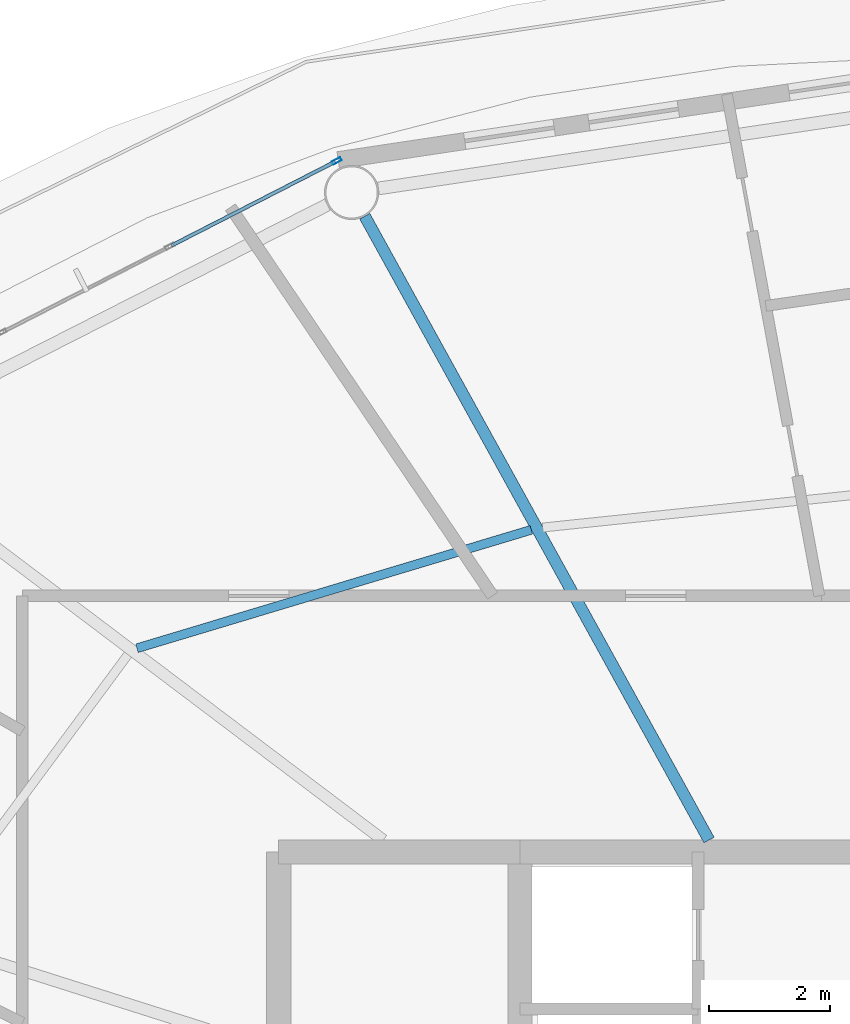
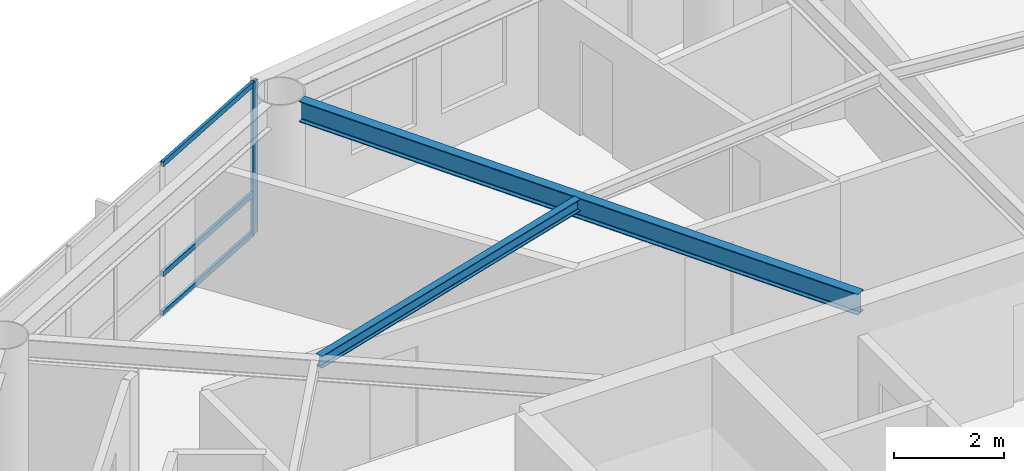
# One storey, part 9 of 22: 4 members, 2 beams, 1 element without a shape of its own.
"""IFC4 building model written with IfcOpenShell, lengths in metres."""

from ifc_helpers import new_model, si_unit, direction, frame, origin, origin_2d, place, context, subcontext, project, spatial, hollow_rectangle, i_section, extrude, material, layer, layer_set, material_profile, profile_set, type_object, element, aggregate, save


model = new_model("IFC4")

# Units and contexts
model_context = context("Model", 3, precision=1e-05, world=origin(), true_north=direction((0.0, 1.0)))
body_context = subcontext(model_context, "Body", "Model", "MODEL_VIEW")
ifc_project = project(units=[si_unit("LENGTHUNIT", "METRE"), si_unit("AREAUNIT", "SQUARE_METRE"), si_unit("VOLUMEUNIT", "CUBIC_METRE"), si_unit("PLANEANGLEUNIT", "RADIAN"), si_unit("MASSUNIT", "GRAM", prefix="KILO")], contexts=[model_context])

# Site, building, storey
site_placement = place(None, origin())
site = spatial("IfcSite", under=ifc_project, at=site_placement, CompositionType="ELEMENT")
building_placement = place(site_placement, origin())
building = spatial("IfcBuilding", under=site, at=building_placement, Name="Sarneth Arch Tower", CompositionType="ELEMENT")
storey_placement = place(building_placement, frame((0.0, 0.0, 213.60009765625)))
storey = spatial("IfcBuildingStorey", under=building, at=storey_placement, Name="L54", CompositionType="ELEMENT", Elevation=213.60009765625)

# Beams
ifc_material_1 = material(Name="Steel S355", Category="steel")
ifc_material_profile_1 = material_profile(ifc_material_1, i_section(OverallWidth=0.14794921875, OverallDepth=0.26611328125, WebThickness=0.007568359375, FlangeThickness=0.012939453125, FilletRadius=0.012939453125, at=origin_2d()), Name="W250x44.8")
ifc_profile_set_1 = profile_set([ifc_material_profile_1], Name="Steel S355")
beam_type_1 = type_object("IfcBeamType", Name="BM-JOIST-250", PredefinedType="JOIST", material=ifc_profile_set_1)
beam_1_placement = place(storey_placement, frame((41.189453125, 54.14453125, 3.226806640625), z_axis=(-0.957725851155, -0.287682453461, 0.0), x_axis=(0.287682453461, -0.957725851155, 0.0)))
element("IfcBeam", 1, at=beam_1_placement, inside=storey, type_object=beam_type_1, Name="L54 Secondary floor joist 06", PredefinedType="JOIST", context=body_context, shape_type="SweptSolid", body=[
    extrude(i_section(OverallWidth=0.14794921875, OverallDepth=0.26611328125, WebThickness=0.007568359375, FlangeThickness=0.012939453125, FilletRadius=0.012939453125, at=origin_2d()), origin(), (0.0, 0.0, 1.0), 6.828125),
])
ifc_material_2 = material(Name="Steel S355", Category="steel")
ifc_material_profile_2 = material_profile(ifc_material_2, i_section(OverallWidth=0.19189453125, OverallDepth=0.462890625, WebThickness=0.010498046875, FlangeThickness=0.017578125, FilletRadius=0.01806640625, at=origin_2d()), Name="W460x89")
ifc_profile_set_2 = profile_set([ifc_material_profile_2], Name="Steel S355")
beam_type_2 = type_object("IfcBeamType", Name="BM-RAD-460B", PredefinedType="BEAM", material=ifc_profile_set_2)
beam_2_placement = place(storey_placement, frame((44.13623046875, 49.0, 3.12841796875), z_axis=(-0.483218265038, 0.875499919094, 0.0), x_axis=(-0.875499919094, -0.483218265038, 0.0)))
element("IfcBeam", 2, at=beam_2_placement, inside=storey, type_object=beam_type_2, Name="L54 Radial floor girder 06", PredefinedType="BEAM", context=body_context, shape_type="SweptSolid", body=[
    extrude(i_section(OverallWidth=0.19189453125, OverallDepth=0.462890625, WebThickness=0.010498046875, FlangeThickness=0.017578125, FilletRadius=0.01806640625, at=origin_2d()), origin(), (0.0, 0.0, 1.0), 11.8154296875),
])

# Curtain wall, members
ifc_material_3 = material(Name="Anodised aluminium Type AA25 and solar-control low-e laminated IGU", Category="aluminium")
ifc_layer = layer(ifc_material_3, 0.179931640625)
ifc_layer_set = layer_set([ifc_layer], Name="Anodised aluminium Type AA25 and solar-control low-e laminated IGU")
curtain_wall_type = type_object("IfcCurtainWallType", Name="CW-RES-HIGH", PredefinedType="NOTDEFINED", material=ifc_layer_set)
curtain_wall_placement = place(storey_placement, origin())
curtain_wall = element("IfcCurtainWall", 3, at=curtain_wall_placement, inside=storey, type_object=curtain_wall_type, Name="L54 Unitised curtain wall facet 06", PredefinedType="NOTDEFINED")
ifc_material_4 = material(Name="Anodised Aluminium 6063-T6", Category="aluminium")
ifc_material_profile_3 = material_profile(ifc_material_4, hollow_rectangle(XDim=0.06005859375, YDim=0.159912109375, WallThickness=0.00390625, at=origin_2d()), Name="AL-MULL-160x60x4")
ifc_profile_set_3 = profile_set([ifc_material_profile_3], Name="Anodised Aluminium 6063-T6")
member_type_1 = type_object("IfcMemberType", Name="CW-MULLION", PredefinedType="MULLION", material=ifc_profile_set_3)
member_1_placement = place(storey_placement, frame((37.960693359375, 60.2607421875, 0.0), z_axis=(0.0, 0.0, 1.0), x_axis=(0.455941901753, -0.890009540525, 0.0)))
member_1 = element("IfcMember", 4, at=member_1_placement, type_object=member_type_1, Name="CW-SYS-6 mullion 1", PredefinedType="MULLION", context=body_context, shape_type="SweptSolid", body=[
    extrude(hollow_rectangle(XDim=0.06005859375, YDim=0.159912109375, WallThickness=0.00390625, at=origin_2d()), origin(), (0.0, 0.0, 1.0), 3.35986328125),
])
ifc_material_5 = material(Name="Anodised Aluminium 6063-T6", Category="aluminium")
ifc_material_profile_4 = material_profile(ifc_material_5, hollow_rectangle(XDim=0.06005859375, YDim=0.1201171875, WallThickness=0.00390625, at=origin_2d()), Name="AL-TRAN-120x60x4")
ifc_profile_set_4 = profile_set([ifc_material_profile_4], Name="Anodised Aluminium 6063-T6")
member_type_2 = type_object("IfcMemberType", Name="CW-TRANSOM", PredefinedType="USERDEFINED", material=ifc_profile_set_4)
member_2_placement = place(storey_placement, frame((37.933837890625, 60.2470703125, 0.02978515625), z_axis=(-0.889973523166, -0.456012201662, 0.0), x_axis=(0.456012201662, -0.889973523166, 0.0)))
member_2 = element("IfcMember", 5, at=member_2_placement, type_object=member_type_2, Name="CW-SYS-6 transom 1.1", ObjectType="TRANSOM", PredefinedType="USERDEFINED", context=body_context, shape_type="SweptSolid", body=[
    extrude(hollow_rectangle(XDim=0.06005859375, YDim=0.1201171875, WallThickness=0.00390625, at=origin_2d()), origin(), (0.0, 0.0, 1.0), 3.044677734375),
])
member_3_placement = place(storey_placement, frame((37.933837890625, 60.2470703125, 0.89990234375), z_axis=(-0.889973523166, -0.456012201662, 0.0), x_axis=(0.456012201662, -0.889973523166, 0.0)))
member_3 = element("IfcMember", 6, at=member_3_placement, type_object=member_type_2, Name="CW-SYS-6 transom 1.2", ObjectType="TRANSOM", PredefinedType="USERDEFINED", context=body_context, shape_type="SweptSolid", body=[
    extrude(hollow_rectangle(XDim=0.06005859375, YDim=0.1201171875, WallThickness=0.00390625, at=origin_2d()), origin(), (0.0, 0.0, 1.0), 3.044677734375),
])
member_4_placement = place(storey_placement, frame((37.933837890625, 60.2470703125, 3.329833984375), z_axis=(-0.889973523166, -0.456012201662, 0.0), x_axis=(0.456012201662, -0.889973523166, 0.0)))
member_4 = element("IfcMember", 7, at=member_4_placement, type_object=member_type_2, Name="CW-SYS-6 transom 1.3", ObjectType="TRANSOM", PredefinedType="USERDEFINED", context=body_context, shape_type="SweptSolid", body=[
    extrude(hollow_rectangle(XDim=0.06005859375, YDim=0.1201171875, WallThickness=0.00390625, at=origin_2d()), origin(), (0.0, 0.0, 1.0), 3.044677734375),
])
aggregate(curtain_wall, [member_1, member_2, member_3, member_4])

save(model, "model.ifc")
